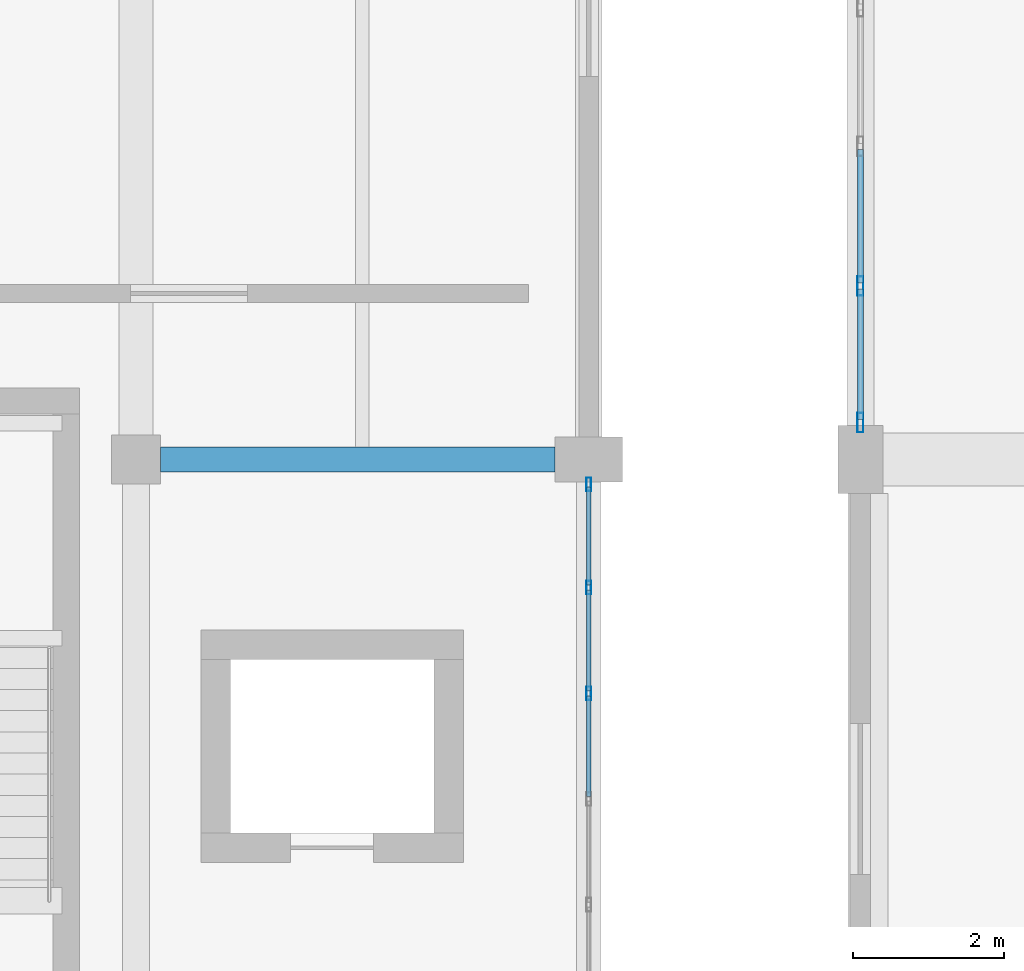
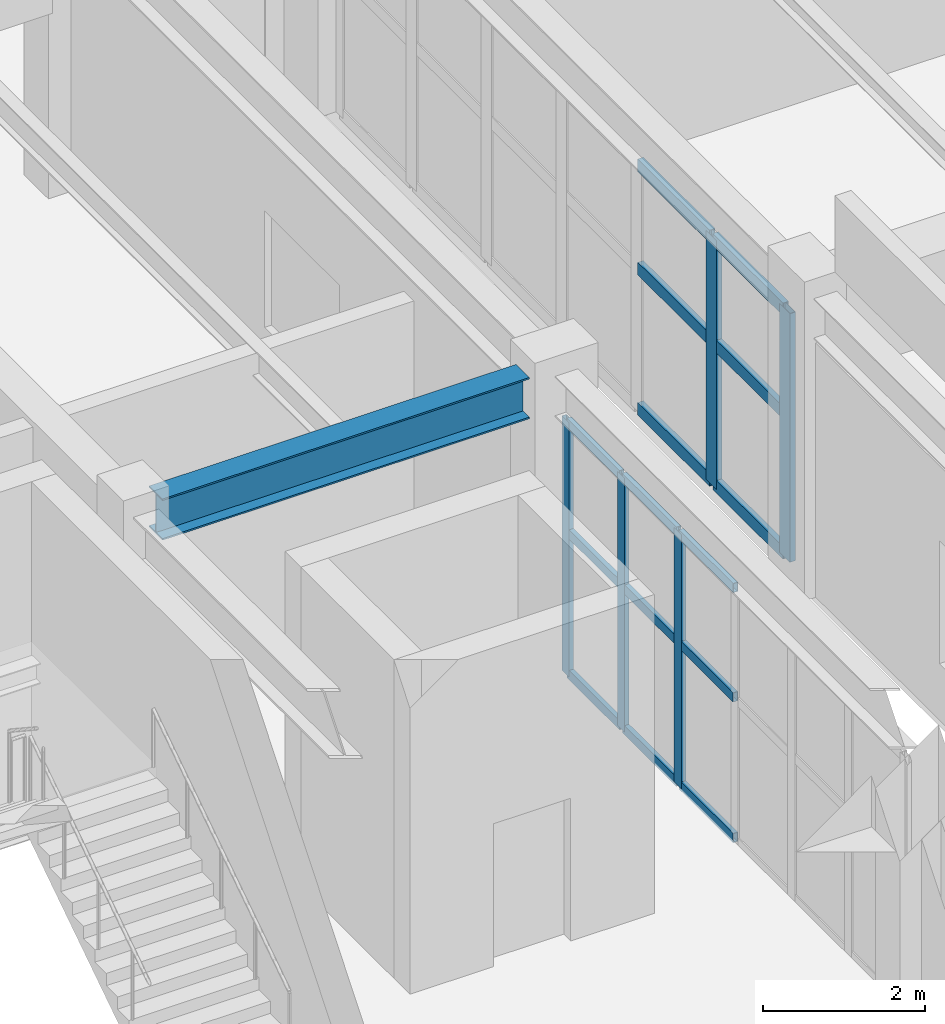
# One storey, part 28 of 85: 20 members, 1 beam, 2 elements without a shape of their own.
"""IFC4 building model written with IfcOpenShell, lengths in metres."""

from ifc_helpers import new_model, si_unit, direction, frame, origin, origin_2d, place, context, subcontext, project, spatial, hollow_rectangle, i_section, extrude, material, layer, layer_set, material_profile, profile_set, type_object, element, aggregate, save


model = new_model("IFC4")

# Units and contexts
model_context = context("Model", 3, precision=1e-05, world=origin(), true_north=direction((0.0, 1.0)))
body_context = subcontext(model_context, "Body", "Model", "MODEL_VIEW")
ifc_project = project(units=[si_unit("LENGTHUNIT", "METRE"), si_unit("AREAUNIT", "SQUARE_METRE"), si_unit("VOLUMEUNIT", "CUBIC_METRE"), si_unit("PLANEANGLEUNIT", "RADIAN"), si_unit("MASSUNIT", "GRAM", prefix="KILO")], contexts=[model_context])

# Site, building, storey
site_placement = place(None, origin())
site = spatial("IfcSite", under=ifc_project, at=site_placement, CompositionType="ELEMENT")
building_placement = place(site_placement, origin())
building = spatial("IfcBuilding", under=site, at=building_placement, Name="Vaelkrest Opera House", CompositionType="ELEMENT")
storey_placement = place(building_placement, frame((0.0, 0.0, 10.199951171875)))
storey = spatial("IfcBuildingStorey", under=building, at=storey_placement, Name="L02", CompositionType="ELEMENT", Elevation=10.199951171875)

# Beam
ifc_material_1 = material(Name="Steel A992 Gr50", Category="steel")
ifc_material_profile_1 = material_profile(ifc_material_1, i_section(OverallWidth=0.326904296875, OverallDepth=0.6220703125, WebThickness=0.015380859375, FlangeThickness=0.0244140625, at=origin_2d()), Name="W24X131")
ifc_profile_set_1 = profile_set([ifc_material_profile_1], Name="Steel A992 Gr50")
beam_type = type_object("IfcBeamType", Name="B19", PredefinedType="BEAM", material=ifc_profile_set_1)
beam_placement = place(storey_placement, frame((24.324951171875, -19.800048828125, 4.194091796875), z_axis=(1.0, 0.0, 0.0), x_axis=(0.0, 1.0, 0.0)))
element("IfcBeam", 1, at=beam_placement, inside=storey, type_object=beam_type, Name="Beam BM-V1-L02-0339", PredefinedType="BEAM", context=body_context, shape_type="SweptSolid", body=[
    extrude(i_section(OverallWidth=0.326904296875, OverallDepth=0.6220703125, WebThickness=0.015380859375, FlangeThickness=0.0244140625, at=origin_2d()), origin(), (0.0, 0.0, 1.0), 5.22509765625),
])

# Curtain wall, members
ifc_material_2 = material(Name="Dark bronze anodized aluminium", Category="aluminium")
ifc_layer_1 = layer(ifc_material_2, 0.179931640625)
ifc_layer_set_1 = layer_set([ifc_layer_1], Name="Dark bronze anodized aluminium")
curtain_wall_type_1 = type_object("IfcCurtainWallType", Name="CW01", PredefinedType="NOTDEFINED", material=ifc_layer_set_1)
curtain_wall_1_placement = place(storey_placement, origin())
curtain_wall_1 = element("IfcCurtainWall", 2, at=curtain_wall_1_placement, inside=storey, type_object=curtain_wall_type_1, Name="Curtain wall CW-L02-040", PredefinedType="NOTDEFINED")
ifc_material_profile_2 = material_profile(ifc_material_2, hollow_rectangle(XDim=0.06494140625, YDim=0.179931640625, WallThickness=0.00390625, at=origin_2d()), Name="CWM65X180")
ifc_profile_set_2 = profile_set([ifc_material_profile_2], Name="Dark bronze anodized aluminium")
member_type_1 = type_object("IfcMemberType", Name="CWM01", PredefinedType="MULLION", material=ifc_profile_set_2)
member_1_placement = place(storey_placement, frame((30.0, -20.130615234375, 0.0), z_axis=(0.0, 0.0, 1.0), x_axis=(1.0, 0.0, 0.0)))
member_1 = element("IfcMember", 3, at=member_1_placement, type_object=member_type_1, Name="CW01 mullion 1", PredefinedType="MULLION", context=body_context, shape_type="SweptSolid", body=[
    extrude(hollow_rectangle(XDim=0.06494140625, YDim=0.179931640625, WallThickness=0.00390625, at=origin_2d()), origin(), (0.0, 0.0, 1.0), 3.8291015625),
])
member_2_placement = place(storey_placement, frame((30.0, -21.498779296875, 0.0), z_axis=(0.0, 0.0, 1.0), x_axis=(1.0, 0.0, 0.0)))
member_2 = element("IfcMember", 4, at=member_2_placement, type_object=member_type_1, Name="CW01 mullion 2", PredefinedType="MULLION", context=body_context, shape_type="SweptSolid", body=[
    extrude(hollow_rectangle(XDim=0.06494140625, YDim=0.179931640625, WallThickness=0.00390625, at=origin_2d()), origin(), (0.0, 0.0, 1.0), 3.8291015625),
])
member_3_placement = place(storey_placement, frame((30.0, -22.8994140625, 0.0), z_axis=(0.0, 0.0, 1.0), x_axis=(1.0, 0.0, 0.0)))
member_3 = element("IfcMember", 5, at=member_3_placement, type_object=member_type_1, Name="CW01 mullion 3", PredefinedType="MULLION", context=body_context, shape_type="SweptSolid", body=[
    extrude(hollow_rectangle(XDim=0.06494140625, YDim=0.179931640625, WallThickness=0.00390625, at=origin_2d()), origin(), (0.0, 0.0, 1.0), 3.8291015625),
])

ifc_layer_2 = layer(ifc_material_2, 0.2099609375)
ifc_layer_set_2 = layer_set([ifc_layer_2], Name="Dark bronze anodized aluminium")
curtain_wall_type_2 = type_object("IfcCurtainWallType", Name="CW04", PredefinedType="NOTDEFINED", material=ifc_layer_set_2)
curtain_wall_2_placement = place(storey_placement, origin())
curtain_wall_2 = element("IfcCurtainWall", 6, at=curtain_wall_2_placement, inside=storey, type_object=curtain_wall_type_2, Name="Curtain wall CW-L02-161", PredefinedType="NOTDEFINED")
ifc_material_profile_3 = material_profile(ifc_material_2, hollow_rectangle(XDim=0.080078125, YDim=0.260009765625, WallThickness=0.0048828125, at=origin_2d()), Name="CWM80X260")
ifc_profile_set_3 = profile_set([ifc_material_profile_3], Name="Dark bronze anodized aluminium")
member_type_2 = type_object("IfcMemberType", Name="CWM04", PredefinedType="MULLION", material=ifc_profile_set_3)
member_4_placement = place(storey_placement, frame((33.60009765625, -19.31201171875, 0.0), z_axis=(0.0, 0.0, 1.0), x_axis=(-1.0, 0.0, 0.0)))
member_4 = element("IfcMember", 7, at=member_4_placement, type_object=member_type_2, Name="CW04 mullion 1", PredefinedType="MULLION", context=body_context, shape_type="SweptSolid", body=[
    extrude(hollow_rectangle(XDim=0.080078125, YDim=0.260009765625, WallThickness=0.0048828125, at=origin_2d()), origin(), (0.0, 0.0, 1.0), 3.7451171875),
])
member_5_placement = place(storey_placement, frame((33.60009765625, -17.501220703125, 0.0), z_axis=(0.0, 0.0, 1.0), x_axis=(-1.0, 0.0, 0.0)))
member_5 = element("IfcMember", 8, at=member_5_placement, type_object=member_type_2, Name="CW04 mullion 2", PredefinedType="MULLION", context=body_context, shape_type="SweptSolid", body=[
    extrude(hollow_rectangle(XDim=0.080078125, YDim=0.260009765625, WallThickness=0.0048828125, at=origin_2d()), origin(), (0.0, 0.0, 1.0), 3.7451171875),
])

# Member
ifc_material_profile_4 = material_profile(ifc_material_2, hollow_rectangle(XDim=0.06494140625, YDim=0.139892578125, WallThickness=0.00390625, at=origin_2d()), Name="CWT65X140")
ifc_profile_set_4 = profile_set([ifc_material_profile_4], Name="Dark bronze anodized aluminium")
member_type_3 = type_object("IfcMemberType", Name="CWT01", PredefinedType="USERDEFINED", material=ifc_profile_set_4)
member_6_placement = place(storey_placement, frame((30.0, -20.1630859375, 0.032470703125), z_axis=(0.0, -1.0, 0.0), x_axis=(1.0, 0.0, 0.0)))
member_6 = element("IfcMember", 9, at=member_6_placement, type_object=member_type_3, Name="CW01 transom 1.1", ObjectType="TRANSOM", PredefinedType="USERDEFINED", context=body_context, shape_type="SweptSolid", body=[
    extrude(hollow_rectangle(XDim=0.06494140625, YDim=0.139892578125, WallThickness=0.00390625, at=origin_2d()), origin(), (0.0, 0.0, 1.0), 1.302978515625),
])

member_7_placement = place(storey_placement, frame((30.0, -20.1630859375, 2.150146484375), z_axis=(0.0, -1.0, 0.0), x_axis=(1.0, 0.0, 0.0)))
member_7 = element("IfcMember", 10, at=member_7_placement, type_object=member_type_3, Name="CW01 transom 1.2", ObjectType="TRANSOM", PredefinedType="USERDEFINED", context=body_context, shape_type="SweptSolid", body=[
    extrude(hollow_rectangle(XDim=0.06494140625, YDim=0.139892578125, WallThickness=0.00390625, at=origin_2d()), origin(), (0.0, 0.0, 1.0), 1.302978515625),
])

member_8_placement = place(storey_placement, frame((30.0, -20.1630859375, 3.796630859375), z_axis=(0.0, -1.0, 0.0), x_axis=(1.0, 0.0, 0.0)))
member_8 = element("IfcMember", 11, at=member_8_placement, type_object=member_type_3, Name="CW01 transom 1.3", ObjectType="TRANSOM", PredefinedType="USERDEFINED", context=body_context, shape_type="SweptSolid", body=[
    extrude(hollow_rectangle(XDim=0.06494140625, YDim=0.139892578125, WallThickness=0.00390625, at=origin_2d()), origin(), (0.0, 0.0, 1.0), 1.302978515625),
])

member_9_placement = place(storey_placement, frame((30.0, -21.53125, 0.032470703125), z_axis=(0.0, -1.0, 0.0), x_axis=(1.0, 0.0, 0.0)))
member_9 = element("IfcMember", 12, at=member_9_placement, type_object=member_type_3, Name="CW01 transom 2.1", ObjectType="TRANSOM", PredefinedType="USERDEFINED", context=body_context, shape_type="SweptSolid", body=[
    extrude(hollow_rectangle(XDim=0.06494140625, YDim=0.139892578125, WallThickness=0.00390625, at=origin_2d()), origin(), (0.0, 0.0, 1.0), 1.335693359375),
])

member_10_placement = place(storey_placement, frame((30.0, -21.53125, 2.150146484375), z_axis=(0.0, -1.0, 0.0), x_axis=(1.0, 0.0, 0.0)))
member_10 = element("IfcMember", 13, at=member_10_placement, type_object=member_type_3, Name="CW01 transom 2.2", ObjectType="TRANSOM", PredefinedType="USERDEFINED", context=body_context, shape_type="SweptSolid", body=[
    extrude(hollow_rectangle(XDim=0.06494140625, YDim=0.139892578125, WallThickness=0.00390625, at=origin_2d()), origin(), (0.0, 0.0, 1.0), 1.335693359375),
])

member_11_placement = place(storey_placement, frame((30.0, -21.53125, 3.796630859375), z_axis=(0.0, -1.0, 0.0), x_axis=(1.0, 0.0, 0.0)))
member_11 = element("IfcMember", 14, at=member_11_placement, type_object=member_type_3, Name="CW01 transom 2.3", ObjectType="TRANSOM", PredefinedType="USERDEFINED", context=body_context, shape_type="SweptSolid", body=[
    extrude(hollow_rectangle(XDim=0.06494140625, YDim=0.139892578125, WallThickness=0.00390625, at=origin_2d()), origin(), (0.0, 0.0, 1.0), 1.335693359375),
])

member_12_placement = place(storey_placement, frame((30.0, -22.931884765625, 0.032470703125), z_axis=(0.0, -1.0, 0.0), x_axis=(1.0, 0.0, 0.0)))
member_12 = element("IfcMember", 15, at=member_12_placement, type_object=member_type_3, Name="CW01 transom 3.1", ObjectType="TRANSOM", PredefinedType="USERDEFINED", context=body_context, shape_type="SweptSolid", body=[
    extrude(hollow_rectangle(XDim=0.06494140625, YDim=0.139892578125, WallThickness=0.00390625, at=origin_2d()), origin(), (0.0, 0.0, 1.0), 1.335693359375),
])

member_13_placement = place(storey_placement, frame((30.0, -22.931884765625, 2.150146484375), z_axis=(0.0, -1.0, 0.0), x_axis=(1.0, 0.0, 0.0)))
member_13 = element("IfcMember", 16, at=member_13_placement, type_object=member_type_3, Name="CW01 transom 3.2", ObjectType="TRANSOM", PredefinedType="USERDEFINED", context=body_context, shape_type="SweptSolid", body=[
    extrude(hollow_rectangle(XDim=0.06494140625, YDim=0.139892578125, WallThickness=0.00390625, at=origin_2d()), origin(), (0.0, 0.0, 1.0), 1.335693359375),
])

member_14_placement = place(storey_placement, frame((30.0, -22.931884765625, 3.796630859375), z_axis=(0.0, -1.0, 0.0), x_axis=(1.0, 0.0, 0.0)))
member_14 = element("IfcMember", 17, at=member_14_placement, type_object=member_type_3, Name="CW01 transom 3.3", ObjectType="TRANSOM", PredefinedType="USERDEFINED", context=body_context, shape_type="SweptSolid", body=[
    extrude(hollow_rectangle(XDim=0.06494140625, YDim=0.139892578125, WallThickness=0.00390625, at=origin_2d()), origin(), (0.0, 0.0, 1.0), 1.335693359375),
])

aggregate(curtain_wall_1, [member_1, member_2, member_3, member_6, member_7, member_8, member_9, member_10, member_11, member_12, member_13, member_14])

ifc_material_profile_5 = material_profile(ifc_material_2, hollow_rectangle(XDim=0.080078125, YDim=0.18994140625, WallThickness=0.0048828125, at=origin_2d()), Name="CWT80X190")
ifc_profile_set_5 = profile_set([ifc_material_profile_5], Name="Dark bronze anodized aluminium")
member_type_4 = type_object("IfcMemberType", Name="CWT04", PredefinedType="USERDEFINED", material=ifc_profile_set_5)
member_15_placement = place(storey_placement, frame((33.60009765625, -19.27197265625, 0.0400390625), z_axis=(0.0, 1.0, 0.0), x_axis=(-1.0, 0.0, 0.0)))
member_15 = element("IfcMember", 18, at=member_15_placement, type_object=member_type_4, Name="CW04 transom 1.1", ObjectType="TRANSOM", PredefinedType="USERDEFINED", context=body_context, shape_type="SweptSolid", body=[
    extrude(hollow_rectangle(XDim=0.080078125, YDim=0.18994140625, WallThickness=0.0048828125, at=origin_2d()), origin(), (0.0, 0.0, 1.0), 1.730712890625),
])

member_16_placement = place(storey_placement, frame((33.60009765625, -19.27197265625, 2.150146484375), z_axis=(0.0, 1.0, 0.0), x_axis=(-1.0, 0.0, 0.0)))
member_16 = element("IfcMember", 19, at=member_16_placement, type_object=member_type_4, Name="CW04 transom 1.2", ObjectType="TRANSOM", PredefinedType="USERDEFINED", context=body_context, shape_type="SweptSolid", body=[
    extrude(hollow_rectangle(XDim=0.080078125, YDim=0.18994140625, WallThickness=0.0048828125, at=origin_2d()), origin(), (0.0, 0.0, 1.0), 1.730712890625),
])

member_17_placement = place(storey_placement, frame((33.60009765625, -19.27197265625, 3.705078125), z_axis=(0.0, 1.0, 0.0), x_axis=(-1.0, 0.0, 0.0)))
member_17 = element("IfcMember", 20, at=member_17_placement, type_object=member_type_4, Name="CW04 transom 1.3", ObjectType="TRANSOM", PredefinedType="USERDEFINED", context=body_context, shape_type="SweptSolid", body=[
    extrude(hollow_rectangle(XDim=0.080078125, YDim=0.18994140625, WallThickness=0.0048828125, at=origin_2d()), origin(), (0.0, 0.0, 1.0), 1.730712890625),
])

member_18_placement = place(storey_placement, frame((33.60009765625, -17.46142578125, 0.0400390625), z_axis=(0.0, 1.0, 0.0), x_axis=(-1.0, 0.0, 0.0)))
member_18 = element("IfcMember", 21, at=member_18_placement, type_object=member_type_4, Name="CW04 transom 2.1", ObjectType="TRANSOM", PredefinedType="USERDEFINED", context=body_context, shape_type="SweptSolid", body=[
    extrude(hollow_rectangle(XDim=0.080078125, YDim=0.18994140625, WallThickness=0.0048828125, at=origin_2d()), origin(), (0.0, 0.0, 1.0), 1.770751953125),
])

member_19_placement = place(storey_placement, frame((33.60009765625, -17.46142578125, 2.150146484375), z_axis=(0.0, 1.0, 0.0), x_axis=(-1.0, 0.0, 0.0)))
member_19 = element("IfcMember", 22, at=member_19_placement, type_object=member_type_4, Name="CW04 transom 2.2", ObjectType="TRANSOM", PredefinedType="USERDEFINED", context=body_context, shape_type="SweptSolid", body=[
    extrude(hollow_rectangle(XDim=0.080078125, YDim=0.18994140625, WallThickness=0.0048828125, at=origin_2d()), origin(), (0.0, 0.0, 1.0), 1.770751953125),
])

member_20_placement = place(storey_placement, frame((33.60009765625, -17.46142578125, 3.705078125), z_axis=(0.0, 1.0, 0.0), x_axis=(-1.0, 0.0, 0.0)))
member_20 = element("IfcMember", 23, at=member_20_placement, type_object=member_type_4, Name="CW04 transom 2.3", ObjectType="TRANSOM", PredefinedType="USERDEFINED", context=body_context, shape_type="SweptSolid", body=[
    extrude(hollow_rectangle(XDim=0.080078125, YDim=0.18994140625, WallThickness=0.0048828125, at=origin_2d()), origin(), (0.0, 0.0, 1.0), 1.770751953125),
])

aggregate(curtain_wall_2, [member_4, member_5, member_15, member_16, member_17, member_18, member_19, member_20])

save(model, "model.ifc")
